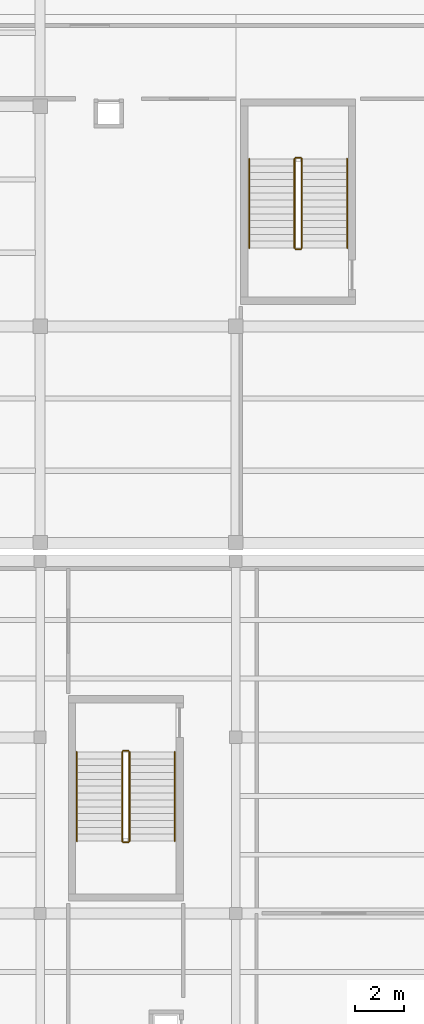
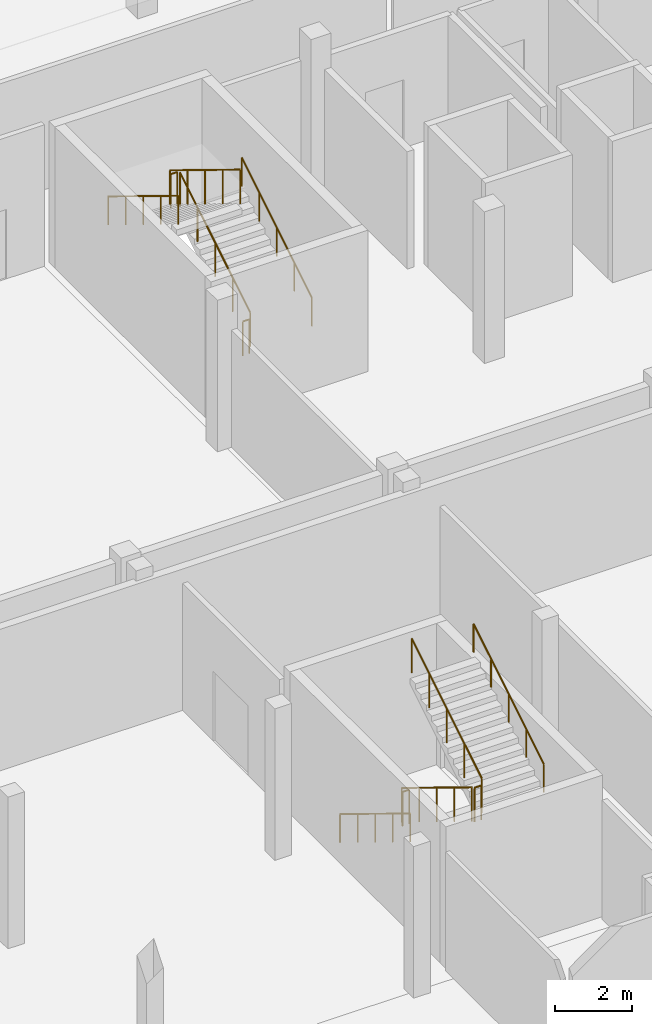
# One storey, part 171 of 177: 12 railings.
"""IFC4 building model written with IfcOpenShell, lengths in metres."""

from ifc_helpers import new_model, si_unit, direction, frame, origin, origin_2d, place, context, subcontext, project, spatial, circle, extrude, material, layer, layer_set, type_object, element, save


model = new_model("IFC4")

# Units and contexts
model_context = context("Model", 3, precision=1e-05, world=origin(), true_north=direction((0.0, 1.0)))
body_context = subcontext(model_context, "Body", "Model", "MODEL_VIEW")
ifc_project = project(units=[si_unit("LENGTHUNIT", "METRE"), si_unit("AREAUNIT", "SQUARE_METRE"), si_unit("VOLUMEUNIT", "CUBIC_METRE"), si_unit("PLANEANGLEUNIT", "RADIAN"), si_unit("MASSUNIT", "GRAM", prefix="KILO")], contexts=[model_context])

# Site, building, storey
site_placement = place(None, origin())
site = spatial("IfcSite", under=ifc_project, at=site_placement, CompositionType="ELEMENT")
building_placement = place(site_placement, origin())
building = spatial("IfcBuilding", under=site, at=building_placement, Name="Chiffa Square Polytechnic", CompositionType="ELEMENT")
storey_placement = place(building_placement, frame((0.0, 0.0, 4.800048828125)))
storey = spatial("IfcBuildingStorey", under=building, at=storey_placement, Name="L01", CompositionType="ELEMENT", Elevation=4.800048828125)

# Railings
ifc_material = material(Name="Steel S355", Category="steel")
ifc_layer_1 = layer(ifc_material, 0.050048828125, Name="Steel S355")
ifc_layer_set_1 = layer_set([ifc_layer_1], Name="Steel S355")
railing_type_1 = type_object("IfcRailingType", Name="RL-STAIR-GUARD", PredefinedType="GUARDRAIL", material=ifc_layer_set_1)
railing_1_placement = place(storey_placement, frame((26.699951171875, 107.0, 0.17138671875)))
element("IfcRailing", 1, at=railing_1_placement, inside=storey, type_object=railing_type_1, Name="L01 ST-V5A stair guard 1", PredefinedType="GUARDRAIL", context=body_context, shape_type="SweptSolid", body=[
    extrude(circle(Radius=0.02392578125, at=origin_2d()), frame((0.0, 0.0, 1.076171875), z_axis=(0.0, 0.852850264322, 0.5221555579), x_axis=(-1.0, 0.0, 0.0)), (0.0, 0.0, 1.0), 4.267822265625),
    extrude(circle(Radius=0.02099609375, at=origin_2d()), origin(), (0.0, 0.0, 1.0), 1.052001953125),
    extrude(circle(Radius=0.02099609375, at=origin_2d()), frame((0.0, 0.909912109375, 0.55712890625)), (0.0, 0.0, 1.0), 1.052001953125),
    extrude(circle(Radius=0.02099609375, at=origin_2d()), frame((0.0, 1.81982421875, 1.1142578125)), (0.0, 0.0, 1.0), 1.052001953125),
    extrude(circle(Radius=0.02099609375, at=origin_2d()), frame((0.0, 2.72998046875, 1.67138671875)), (0.0, 0.0, 1.0), 1.052001953125),
    extrude(circle(Radius=0.02099609375, at=origin_2d()), frame((0.0, 3.639892578125, 2.228515625)), (0.0, 0.0, 1.0), 1.052001953125),
])
railing_2_placement = place(storey_placement, frame((26.64990234375, 110.68994140625, 2.39990234375)))
element("IfcRailing", 2, at=railing_2_placement, inside=storey, type_object=railing_type_1, Name="L01 ST-V5A stair guard 2", PredefinedType="GUARDRAIL", context=body_context, shape_type="SweptSolid", body=[
    extrude(circle(Radius=0.02392578125, at=origin_2d()), frame((0.0, 0.0, 1.076171875), z_axis=(-1.0, 0.0, 0.0), x_axis=(0.0, -1.0, 0.0)), (0.0, 0.0, 1.0), 0.199951171875),
    extrude(circle(Radius=0.02099609375, at=origin_2d()), origin(), (0.0, 0.0, 1.0), 1.052001953125),
    extrude(circle(Radius=0.02099609375, at=origin_2d()), frame((-0.199951171875, 0.0, 0.0)), (0.0, 0.0, 1.0), 1.052001953125),
])
railing_3_placement = place(storey_placement, frame((26.39990234375, 110.639892578125, 2.5712890625)))
element("IfcRailing", 3, at=railing_3_placement, inside=storey, type_object=railing_type_1, Name="L01 ST-V5A stair guard 3", PredefinedType="GUARDRAIL", context=body_context, shape_type="SweptSolid", body=[
    extrude(circle(Radius=0.02392578125, at=origin_2d()), frame((0.0, 0.0, 1.076171875), z_axis=(0.0, -0.852824790078, 0.522197163366), x_axis=(1.0, 0.0, 0.0)), (0.0, 0.0, 1.0), 4.26806640625),
    extrude(circle(Radius=0.02099609375, at=origin_2d()), origin(), (0.0, 0.0, 1.0), 1.052001953125),
    extrude(circle(Radius=0.02099609375, at=origin_2d()), frame((0.0, -0.909912109375, 0.55712890625)), (0.0, 0.0, 1.0), 1.052001953125),
    extrude(circle(Radius=0.02099609375, at=origin_2d()), frame((0.0, -1.81982421875, 1.1142578125)), (0.0, 0.0, 1.0), 1.052001953125),
    extrude(circle(Radius=0.02099609375, at=origin_2d()), frame((0.0, -2.72998046875, 1.671630859375)), (0.0, 0.0, 1.0), 1.052001953125),
    extrude(circle(Radius=0.02099609375, at=origin_2d()), frame((0.0, -3.639892578125, 2.228759765625)), (0.0, 0.0, 1.0), 1.052001953125),
])
railing_4_placement = place(storey_placement, frame((26.64990234375, 106.949951171875, 0.0)))
element("IfcRailing", 4, at=railing_4_placement, inside=storey, type_object=railing_type_1, Name="L01 ST-V5A stair guard 4", PredefinedType="GUARDRAIL", context=body_context, shape_type="SweptSolid", body=[
    extrude(circle(Radius=0.02392578125, at=origin_2d()), frame((0.0, 0.0, 1.076171875), z_axis=(-1.0, 0.0, 0.0), x_axis=(0.0, -1.0, 0.0)), (0.0, 0.0, 1.0), 0.199951171875),
    extrude(circle(Radius=0.02099609375, at=origin_2d()), origin(), (0.0, 0.0, 1.0), 1.052001953125),
    extrude(circle(Radius=0.02099609375, at=origin_2d()), frame((-0.199951171875, 0.0, 0.0)), (0.0, 0.0, 1.0), 1.052001953125),
])
railing_5_placement = place(storey_placement, frame((19.35009765625, 86.39990234375, 0.17138671875)))
element("IfcRailing", 5, at=railing_5_placement, inside=storey, type_object=railing_type_1, Name="L01 ST-V6B stair guard 1", PredefinedType="GUARDRAIL", context=body_context, shape_type="SweptSolid", body=[
    extrude(circle(Radius=0.02392578125, at=origin_2d()), frame((0.0, 0.0, 1.076171875), z_axis=(0.0, -0.852850264322, 0.5221555579), x_axis=(1.0, 0.0, 0.0)), (0.0, 0.0, 1.0), 4.267822265625),
    extrude(circle(Radius=0.02099609375, at=origin_2d()), origin(), (0.0, 0.0, 1.0), 1.052001953125),
    extrude(circle(Radius=0.02099609375, at=origin_2d()), frame((0.0, -0.909912109375, 0.55712890625)), (0.0, 0.0, 1.0), 1.052001953125),
    extrude(circle(Radius=0.02099609375, at=origin_2d()), frame((0.0, -1.81982421875, 1.1142578125)), (0.0, 0.0, 1.0), 1.052001953125),
    extrude(circle(Radius=0.02099609375, at=origin_2d()), frame((0.0, -2.72998046875, 1.67138671875)), (0.0, 0.0, 1.0), 1.052001953125),
    extrude(circle(Radius=0.02099609375, at=origin_2d()), frame((0.0, -3.639892578125, 2.228515625)), (0.0, 0.0, 1.0), 1.052001953125),
])
railing_6_placement = place(storey_placement, frame((19.39990234375, 82.7099609375, 2.39990234375)))
element("IfcRailing", 6, at=railing_6_placement, inside=storey, type_object=railing_type_1, Name="L01 ST-V6B stair guard 2", PredefinedType="GUARDRAIL", context=body_context, shape_type="SweptSolid", body=[
    extrude(circle(Radius=0.02392578125, at=origin_2d()), frame((0.0, 0.0, 1.076171875), z_axis=(1.0, 0.0, 0.0), x_axis=(0.0, 1.0, 0.0)), (0.0, 0.0, 1.0), 0.2001953125),
    extrude(circle(Radius=0.02099609375, at=origin_2d()), origin(), (0.0, 0.0, 1.0), 1.052001953125),
    extrude(circle(Radius=0.02099609375, at=origin_2d()), frame((0.2001953125, 0.0, 0.0)), (0.0, 0.0, 1.0), 1.052001953125),
])
railing_7_placement = place(storey_placement, frame((19.64990234375, 82.760009765625, 2.5712890625)))
element("IfcRailing", 7, at=railing_7_placement, inside=storey, type_object=railing_type_1, Name="L01 ST-V6B stair guard 3", PredefinedType="GUARDRAIL", context=body_context, shape_type="SweptSolid", body=[
    extrude(circle(Radius=0.02392578125, at=origin_2d()), frame((0.0, 0.0, 1.076171875), z_axis=(0.0, 0.852824790078, 0.522197163366), x_axis=(-1.0, 0.0, 0.0)), (0.0, 0.0, 1.0), 4.26806640625),
    extrude(circle(Radius=0.02099609375, at=origin_2d()), origin(), (0.0, 0.0, 1.0), 1.052001953125),
    extrude(circle(Radius=0.02099609375, at=origin_2d()), frame((0.0, 0.909912109375, 0.55712890625)), (0.0, 0.0, 1.0), 1.052001953125),
    extrude(circle(Radius=0.02099609375, at=origin_2d()), frame((0.0, 1.81982421875, 1.1142578125)), (0.0, 0.0, 1.0), 1.052001953125),
    extrude(circle(Radius=0.02099609375, at=origin_2d()), frame((0.0, 2.72998046875, 1.671630859375)), (0.0, 0.0, 1.0), 1.052001953125),
    extrude(circle(Radius=0.02099609375, at=origin_2d()), frame((0.0, 3.639892578125, 2.228759765625)), (0.0, 0.0, 1.0), 1.052001953125),
])
railing_8_placement = place(storey_placement, frame((19.39990234375, 86.449951171875, 0.0)))
element("IfcRailing", 8, at=railing_8_placement, inside=storey, type_object=railing_type_1, Name="L01 ST-V6B stair guard 4", PredefinedType="GUARDRAIL", context=body_context, shape_type="SweptSolid", body=[
    extrude(circle(Radius=0.02392578125, at=origin_2d()), frame((0.0, 0.0, 1.076171875), z_axis=(1.0, 0.0, 0.0), x_axis=(0.0, 1.0, 0.0)), (0.0, 0.0, 1.0), 0.2001953125),
    extrude(circle(Radius=0.02099609375, at=origin_2d()), origin(), (0.0, 0.0, 1.0), 1.052001953125),
    extrude(circle(Radius=0.02099609375, at=origin_2d()), frame((0.2001953125, 0.0, 0.0)), (0.0, 0.0, 1.0), 1.052001953125),
])
ifc_layer_2 = layer(ifc_material, 0.044921875, Name="Steel S355")
ifc_layer_set_2 = layer_set([ifc_layer_2], Name="Steel S355")
railing_type_2 = type_object("IfcRailingType", Name="RL-STAIR-HAND", PredefinedType="HANDRAIL", material=ifc_layer_set_2)
railing_9_placement = place(storey_placement, frame((28.550048828125, 107.0, 0.17138671875)))
element("IfcRailing", 9, at=railing_9_placement, inside=storey, type_object=railing_type_2, Name="L01 ST-V5A stair handrail 1", PredefinedType="HANDRAIL", context=body_context, shape_type="SweptSolid", body=[
    extrude(circle(Radius=0.02392578125, at=origin_2d()), frame((0.0, 0.0, 0.89599609375), z_axis=(0.0, 0.852850264322, 0.5221555579), x_axis=(-1.0, 0.0, 0.0)), (0.0, 0.0, 1.0), 4.267822265625),
    extrude(circle(Radius=0.02099609375, at=origin_2d()), origin(), (0.0, 0.0, 1.0), 0.871826171875),
    extrude(circle(Radius=0.02099609375, at=origin_2d()), frame((0.0, 0.909912109375, 0.55712890625)), (0.0, 0.0, 1.0), 0.871826171875),
    extrude(circle(Radius=0.02099609375, at=origin_2d()), frame((0.0, 1.81982421875, 1.1142578125)), (0.0, 0.0, 1.0), 0.871826171875),
    extrude(circle(Radius=0.02099609375, at=origin_2d()), frame((0.0, 2.72998046875, 1.67138671875)), (0.0, 0.0, 1.0), 0.871826171875),
    extrude(circle(Radius=0.02099609375, at=origin_2d()), frame((0.0, 3.639892578125, 2.228515625)), (0.0, 0.0, 1.0), 0.871826171875),
])
railing_10_placement = place(storey_placement, frame((24.550048828125, 110.639892578125, 2.5712890625)))
element("IfcRailing", 10, at=railing_10_placement, inside=storey, type_object=railing_type_2, Name="L01 ST-V5A stair handrail 2", PredefinedType="HANDRAIL", context=body_context, shape_type="SweptSolid", body=[
    extrude(circle(Radius=0.02392578125, at=origin_2d()), frame((0.0, 0.0, 0.89599609375), z_axis=(0.0, -0.852824790078, 0.522197163366), x_axis=(1.0, 0.0, 0.0)), (0.0, 0.0, 1.0), 4.26806640625),
    extrude(circle(Radius=0.02099609375, at=origin_2d()), origin(), (0.0, 0.0, 1.0), 0.871826171875),
    extrude(circle(Radius=0.02099609375, at=origin_2d()), frame((0.0, -0.909912109375, 0.55712890625)), (0.0, 0.0, 1.0), 0.871826171875),
    extrude(circle(Radius=0.02099609375, at=origin_2d()), frame((0.0, -1.81982421875, 1.1142578125)), (0.0, 0.0, 1.0), 0.871826171875),
    extrude(circle(Radius=0.02099609375, at=origin_2d()), frame((0.0, -2.72998046875, 1.671630859375)), (0.0, 0.0, 1.0), 0.871826171875),
    extrude(circle(Radius=0.02099609375, at=origin_2d()), frame((0.0, -3.639892578125, 2.228759765625)), (0.0, 0.0, 1.0), 0.871826171875),
])
railing_11_placement = place(storey_placement, frame((17.5, 86.39990234375, 0.17138671875)))
element("IfcRailing", 11, at=railing_11_placement, inside=storey, type_object=railing_type_2, Name="L01 ST-V6B stair handrail 1", PredefinedType="HANDRAIL", context=body_context, shape_type="SweptSolid", body=[
    extrude(circle(Radius=0.02392578125, at=origin_2d()), frame((0.0, 0.0, 0.89599609375), z_axis=(0.0, -0.852850264322, 0.5221555579), x_axis=(1.0, 0.0, 0.0)), (0.0, 0.0, 1.0), 4.267822265625),
    extrude(circle(Radius=0.02099609375, at=origin_2d()), origin(), (0.0, 0.0, 1.0), 0.871826171875),
    extrude(circle(Radius=0.02099609375, at=origin_2d()), frame((0.0, -0.909912109375, 0.55712890625)), (0.0, 0.0, 1.0), 0.871826171875),
    extrude(circle(Radius=0.02099609375, at=origin_2d()), frame((0.0, -1.81982421875, 1.1142578125)), (0.0, 0.0, 1.0), 0.871826171875),
    extrude(circle(Radius=0.02099609375, at=origin_2d()), frame((0.0, -2.72998046875, 1.67138671875)), (0.0, 0.0, 1.0), 0.871826171875),
    extrude(circle(Radius=0.02099609375, at=origin_2d()), frame((0.0, -3.639892578125, 2.228515625)), (0.0, 0.0, 1.0), 0.871826171875),
])
railing_12_placement = place(storey_placement, frame((21.5, 82.760009765625, 2.5712890625)))
element("IfcRailing", 12, at=railing_12_placement, inside=storey, type_object=railing_type_2, Name="L01 ST-V6B stair handrail 2", PredefinedType="HANDRAIL", context=body_context, shape_type="SweptSolid", body=[
    extrude(circle(Radius=0.02392578125, at=origin_2d()), frame((0.0, 0.0, 0.89599609375), z_axis=(0.0, 0.852824790078, 0.522197163366), x_axis=(-1.0, 0.0, 0.0)), (0.0, 0.0, 1.0), 4.26806640625),
    extrude(circle(Radius=0.02099609375, at=origin_2d()), origin(), (0.0, 0.0, 1.0), 0.871826171875),
    extrude(circle(Radius=0.02099609375, at=origin_2d()), frame((0.0, 0.909912109375, 0.55712890625)), (0.0, 0.0, 1.0), 0.871826171875),
    extrude(circle(Radius=0.02099609375, at=origin_2d()), frame((0.0, 1.81982421875, 1.1142578125)), (0.0, 0.0, 1.0), 0.871826171875),
    extrude(circle(Radius=0.02099609375, at=origin_2d()), frame((0.0, 2.72998046875, 1.671630859375)), (0.0, 0.0, 1.0), 0.871826171875),
    extrude(circle(Radius=0.02099609375, at=origin_2d()), frame((0.0, 3.639892578125, 2.228759765625)), (0.0, 0.0, 1.0), 0.871826171875),
])

save(model, "model.ifc")
